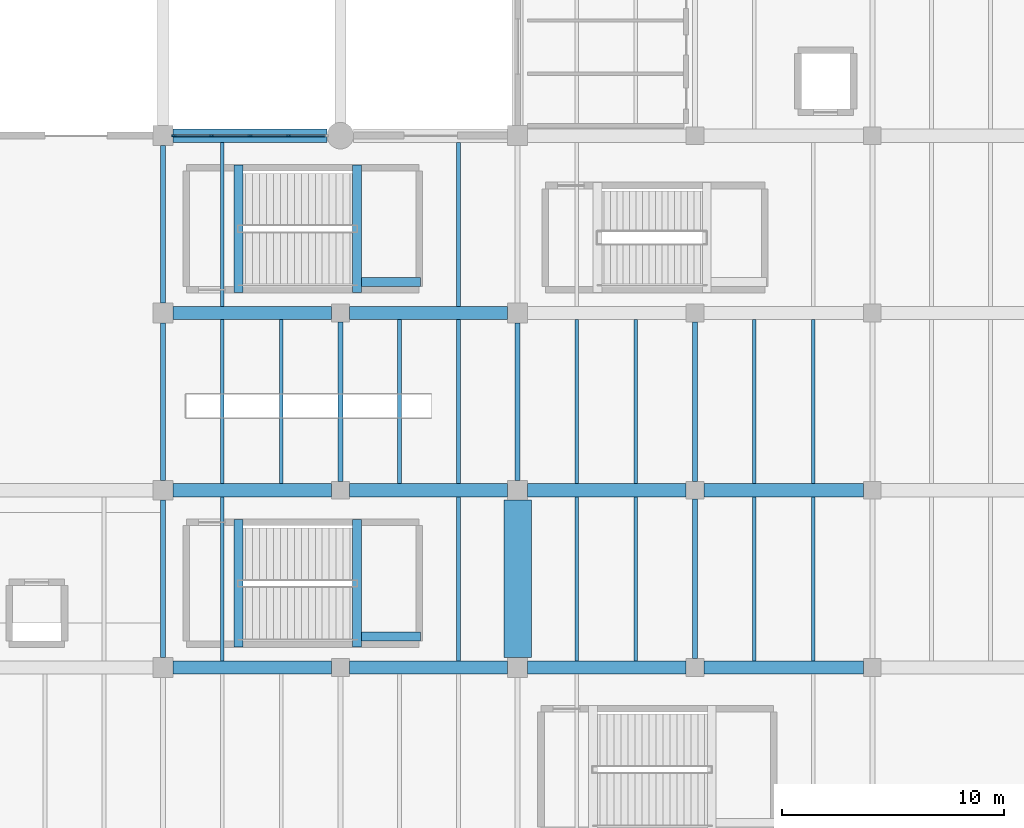
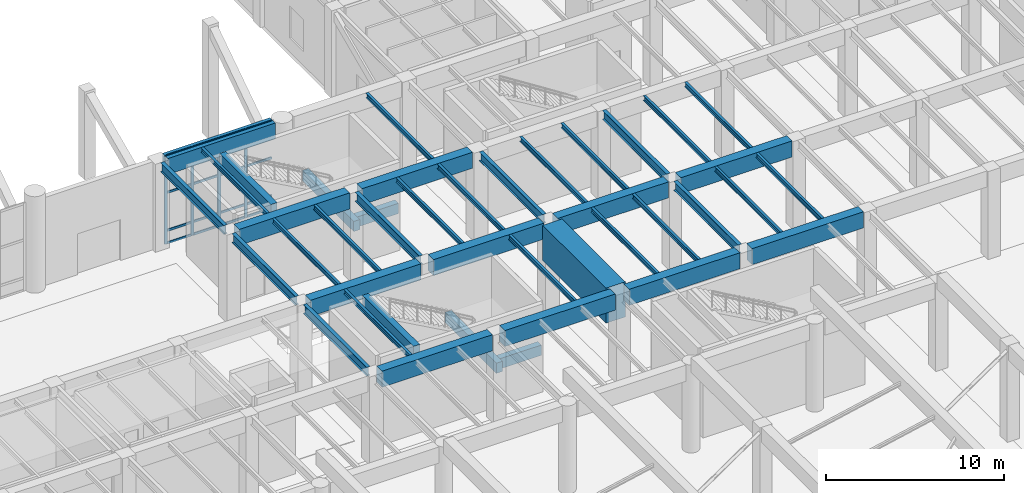
# One storey, part 18 of 51: 41 beams, 20 members, 1 element without a shape of its own.
"""IFC4 building model written with IfcOpenShell, lengths in metres."""

from ifc_helpers import new_model, si_unit, direction, frame, origin, origin_2d, place, context, subcontext, project, spatial, rectangle, i_section, extrude, material, layer, layer_set, material_profile, profile_set, type_object, element, aggregate, save


model = new_model("IFC4")

# Units and contexts
model_context = context("Model", 3, precision=1e-05, world=origin(), true_north=direction((0.0, 1.0)))
body_context = subcontext(model_context, "Body", "Model", "MODEL_VIEW")
ifc_project = project(units=[si_unit("LENGTHUNIT", "METRE"), si_unit("AREAUNIT", "SQUARE_METRE"), si_unit("VOLUMEUNIT", "CUBIC_METRE"), si_unit("PLANEANGLEUNIT", "RADIAN"), si_unit("MASSUNIT", "GRAM", prefix="KILO")], contexts=[model_context])

# Site, building, storey
site_placement = place(None, origin())
site = spatial("IfcSite", under=ifc_project, at=site_placement, CompositionType="ELEMENT")
building_placement = place(site_placement, origin())
building = spatial("IfcBuilding", under=site, at=building_placement, Name="Varnela Railside Interchange", CompositionType="ELEMENT")
storey_placement = place(building_placement, origin())
storey = spatial("IfcBuildingStorey", under=building, at=storey_placement, Name="L00", CompositionType="ELEMENT", Elevation=0.0)

# Beams
ifc_material_1 = material(Name="Steel AR 350 (350 MPa)", Category="steel")
ifc_material_profile_1 = material_profile(ifc_material_1, i_section(OverallWidth=0.1669921875, OverallDepth=0.31689453125, WebThickness=0.007568359375, FlangeThickness=0.01318359375, at=origin_2d()), Name="W310x52")
ifc_profile_set_1 = profile_set([ifc_material_profile_1], Name="Steel AR 350 (350 MPa)")
beam_type_1 = type_object("IfcBeamType", Name="Composite Long-Span Joist J-03", PredefinedType="JOIST", material=ifc_profile_set_1)
for number, where, z_axis, x_axis, name in (
    (1, (102.669921875, 38.300048828125, 5.861572265625), (0.0, 1.0, 0.0), (-1.0, 0.0, 0.0), "Composite Long-Span Joist J-03 (L00) (BM-1047)"),
    (2, (102.669921875, 46.300048828125, 5.861572265625), (0.0, 1.0, 0.0), (-1.0, 0.0, 0.0), "Composite Long-Span Joist J-03 (L00) (BM-1048)"),
    (3, (105.330078125, 46.300048828125, 5.861572265625), (0.0, 1.0, 0.0), (-1.0, 0.0, 0.0), "Composite Long-Span Joist J-03 (L00) (BM-1049)"),
    (4, (102.669921875, 54.300048828125, 5.861572265625), (0.0, 1.0, 0.0), (-1.0, 0.0, 0.0), "Composite Long-Span Joist J-03 (L00) (BM-1050)"),
    (5, (113.330078125, 38.300048828125, 5.861572265625), (0.0, 1.0, 0.0), (-1.0, 0.0, 0.0), "Composite Long-Span Joist J-03 (L00) (BM-1053)"),
    (6, (110.669921875, 46.300048828125, 5.861572265625), (0.0, 1.0, 0.0), (-1.0, 0.0, 0.0), "Composite Long-Span Joist J-03 (L00) (BM-1054)"),
    (7, (113.330078125, 46.300048828125, 5.861572265625), (0.0, 1.0, 0.0), (-1.0, 0.0, 0.0), "Composite Long-Span Joist J-03 (L00) (BM-1055)"),
    (8, (113.330078125, 54.300048828125, 5.861572265625), (0.0, 1.0, 0.0), (-1.0, 0.0, 0.0), "Composite Long-Span Joist J-03 (L00) (BM-1056)"),
    (9, (118.669921875, 38.300048828125, 5.861572265625), (0.0, 1.0, 0.0), (-1.0, 0.0, 0.0), "Composite Long-Span Joist J-03 (L00) (BM-1060)"),
    (10, (121.330078125, 38.300048828125, 5.861572265625), (0.0, 1.0, 0.0), (-1.0, 0.0, 0.0), "Composite Long-Span Joist J-03 (L00) (BM-1061)"),
    (11, (118.669921875, 46.300048828125, 5.861572265625), (0.0, 1.0, 0.0), (-1.0, 0.0, 0.0), "Composite Long-Span Joist J-03 (L00) (BM-1062)"),
    (12, (121.330078125, 46.300048828125, 5.861572265625), (0.0, 1.0, 0.0), (-1.0, 0.0, 0.0), "Composite Long-Span Joist J-03 (L00) (BM-1063)"),
    (13, (126.669921875, 38.300048828125, 5.861572265625), (0.0, 1.0, 0.0), (-1.0, 0.0, 0.0), "Composite Long-Span Joist J-03 (L00) (BM-1074)"),
    (14, (129.330078125, 38.300048828125, 5.861572265625), (0.0, 1.0, 0.0), (-1.0, 0.0, 0.0), "Composite Long-Span Joist J-03 (L00) (BM-1075)"),
    (15, (126.669921875, 46.300048828125, 5.861572265625), (0.0, 1.0, 0.0), (-1.0, 0.0, 0.0), "Composite Long-Span Joist J-03 (L00) (BM-1076)"),
    (16, (129.330078125, 46.300048828125, 5.861572265625), (0.0, 1.0, 0.0), (-1.0, 0.0, 0.0), "Composite Long-Span Joist J-03 (L00) (BM-1077)"),
):
    element("IfcBeam", number, at=place(storey_placement, frame(where, z_axis=z_axis, x_axis=x_axis)), inside=storey, type_object=beam_type_1, Name=name, PredefinedType="JOIST", context=body_context, shape_type="SweptSolid", body=[
        extrude(i_section(OverallWidth=0.1669921875, OverallDepth=0.31689453125, WebThickness=0.007568359375, FlangeThickness=0.01318359375, at=origin_2d()), origin(), (0.0, 0.0, 1.0), 7.39990234375),
    ])
ifc_material_2 = material(Name="Concrete C50", Category="concrete")
ifc_material_profile_2 = material_profile(ifc_material_2, rectangle(XDim=0.60009765625, YDim=1.10009765625, at=origin_2d()), Name="RC 600x1100")
ifc_profile_set_2 = profile_set([ifc_material_profile_2], Name="Concrete C50")
beam_type_2 = type_object("IfcBeamType", Name="Concourse RC Girder B-06", PredefinedType="BEAM", material=ifc_profile_set_2)
for number, where, z_axis, x_axis, name in (
    (17, (100.449951171875, 38.0, 5.469970703125), (1.0, 0.0, 0.0), (0.0, 1.0, 0.0), "Concourse RC Girder B-06 (L00) (BM-1201)"),
    (18, (108.39990234375, 38.0, 5.469970703125), (1.0, 0.0, 0.0), (0.0, 1.0, 0.0), "Concourse RC Girder B-06 (L00) (BM-1202)"),
    (19, (116.449951171875, 38.0, 5.469970703125), (1.0, 0.0, 0.0), (0.0, 1.0, 0.0), "Concourse RC Girder B-06 (L00) (BM-1203)"),
):
    element("IfcBeam", number, at=place(storey_placement, frame(where, z_axis=z_axis, x_axis=x_axis)), inside=storey, type_object=beam_type_2, Name=name, PredefinedType="BEAM", context=body_context, shape_type="SweptSolid", body=[
        extrude(rectangle(XDim=0.60009765625, YDim=1.10009765625, at=origin_2d()), origin(), (0.0, 0.0, 1.0), 7.150146484375),
    ])
beam_1_placement = place(storey_placement, frame((124.39990234375, 38.0, 5.469970703125), z_axis=(1.0, 0.0, 0.0), x_axis=(0.0, 1.0, 0.0)))
element("IfcBeam", 20, at=beam_1_placement, inside=storey, type_object=beam_type_2, Name="Concourse RC Girder B-06 (L00) (BM-1204)", PredefinedType="BEAM", context=body_context, shape_type="SweptSolid", body=[
    extrude(rectangle(XDim=0.60009765625, YDim=1.10009765625, at=origin_2d()), origin(), (0.0, 0.0, 1.0), 7.2001953125),
])
for number, where, z_axis, x_axis, name in (
    (21, (100.449951171875, 46.0, 5.469970703125), (1.0, 0.0, 0.0), (0.0, 1.0, 0.0), "Concourse RC Girder B-06 (L00) (BM-1221)"),
    (22, (108.39990234375, 46.0, 5.469970703125), (1.0, 0.0, 0.0), (0.0, 1.0, 0.0), "Concourse RC Girder B-06 (L00) (BM-1222)"),
    (23, (116.449951171875, 46.0, 5.469970703125), (1.0, 0.0, 0.0), (0.0, 1.0, 0.0), "Concourse RC Girder B-06 (L00) (BM-1223)"),
):
    element("IfcBeam", number, at=place(storey_placement, frame(where, z_axis=z_axis, x_axis=x_axis)), inside=storey, type_object=beam_type_2, Name=name, PredefinedType="BEAM", context=body_context, shape_type="SweptSolid", body=[
        extrude(rectangle(XDim=0.60009765625, YDim=1.10009765625, at=origin_2d()), origin(), (0.0, 0.0, 1.0), 7.150146484375),
    ])
beam_2_placement = place(storey_placement, frame((124.39990234375, 46.0, 5.469970703125), z_axis=(1.0, 0.0, 0.0), x_axis=(0.0, 1.0, 0.0)))
element("IfcBeam", 24, at=beam_2_placement, inside=storey, type_object=beam_type_2, Name="Concourse RC Girder B-06 (L00) (BM-1224)", PredefinedType="BEAM", context=body_context, shape_type="SweptSolid", body=[
    extrude(rectangle(XDim=0.60009765625, YDim=1.10009765625, at=origin_2d()), origin(), (0.0, 0.0, 1.0), 7.2001953125),
])
for number, where, z_axis, x_axis, name in (
    (25, (100.449951171875, 54.0, 5.469970703125), (1.0, 0.0, 0.0), (0.0, 1.0, 0.0), "Concourse RC Girder B-06 (L00) (BM-1241)"),
    (26, (108.39990234375, 54.0, 5.469970703125), (1.0, 0.0, 0.0), (0.0, 1.0, 0.0), "Concourse RC Girder B-06 (L00) (BM-1242)"),
):
    element("IfcBeam", number, at=place(storey_placement, frame(where, z_axis=z_axis, x_axis=x_axis)), inside=storey, type_object=beam_type_2, Name=name, PredefinedType="BEAM", context=body_context, shape_type="SweptSolid", body=[
        extrude(rectangle(XDim=0.60009765625, YDim=1.10009765625, at=origin_2d()), origin(), (0.0, 0.0, 1.0), 7.150146484375),
    ])
beam_3_placement = place(storey_placement, frame((100.449951171875, 62.0, 5.469970703125), z_axis=(1.0, 0.0, 0.0), x_axis=(0.0, 1.0, 0.0)))
element("IfcBeam", 27, at=beam_3_placement, inside=storey, type_object=beam_type_2, Name="Concourse RC Girder B-06 (L00) (BM-1254)", PredefinedType="BEAM", context=body_context, shape_type="SweptSolid", body=[
    extrude(rectangle(XDim=0.60009765625, YDim=1.10009765625, at=origin_2d()), origin(), (0.0, 0.0, 1.0), 6.949951171875),
])
ifc_material_3 = material(Name="Concrete C40", Category="concrete")
ifc_material_profile_3 = material_profile(ifc_material_3, rectangle(XDim=0.39990234375, YDim=0.699951171875, at=origin_2d()), Name="RC 400x700")
ifc_profile_set_3 = profile_set([ifc_material_profile_3], Name="Concrete C40")
beam_type_3 = type_object("IfcBeamType", Name="Concrete Tie Beam B-01", PredefinedType="BEAM", material=ifc_profile_set_3)
for number, where, z_axis, x_axis, name in (
    (28, (103.39990234375, 38.919921875, 5.669921875), (0.0, 1.0, 0.0), (-1.0, 0.0, 0.0), "Concrete Tie Beam B-01 (L00) (BM-1446)"),
    (29, (108.7548828125, 38.919921875, 2.639892578125), (0.0, 1.0, 0.0), (-1.0, 0.0, 0.0), "Concrete Tie Beam B-01 (L00) (BM-1433)"),
):
    element("IfcBeam", number, at=place(storey_placement, frame(where, z_axis=z_axis, x_axis=x_axis)), inside=storey, type_object=beam_type_3, Name=name, PredefinedType="BEAM", context=body_context, shape_type="SweptSolid", body=[
        extrude(rectangle(XDim=0.39990234375, YDim=0.699951171875, at=origin_2d()), origin(), (0.0, 0.0, 1.0), 5.760009765625),
    ])
beam_4_placement = place(storey_placement, frame((108.955078125, 39.39990234375, 2.639892578125), z_axis=(1.0, 0.0, 0.0), x_axis=(0.0, 1.0, 0.0)))
element("IfcBeam", 30, at=beam_4_placement, inside=storey, type_object=beam_type_3, Name="Concrete Tie Beam B-01 (L00) (BM-1420)", PredefinedType="BEAM", context=body_context, shape_type="SweptSolid", body=[
    extrude(rectangle(XDim=0.39990234375, YDim=0.699951171875, at=origin_2d()), origin(), (0.0, 0.0, 1.0), 2.6650390625),
])
for number, where, z_axis, x_axis, name in (
    (31, (103.39990234375, 54.919921875, 5.669921875), (0.0, 1.0, 0.0), (-1.0, 0.0, 0.0), "Concrete Tie Beam B-01 (L00) (BM-1448)"),
    (32, (108.7548828125, 54.919921875, 2.639892578125), (0.0, 1.0, 0.0), (-1.0, 0.0, 0.0), "Concrete Tie Beam B-01 (L00) (BM-1435)"),
):
    element("IfcBeam", number, at=place(storey_placement, frame(where, z_axis=z_axis, x_axis=x_axis)), inside=storey, type_object=beam_type_3, Name=name, PredefinedType="BEAM", context=body_context, shape_type="SweptSolid", body=[
        extrude(rectangle(XDim=0.39990234375, YDim=0.699951171875, at=origin_2d()), origin(), (0.0, 0.0, 1.0), 5.760009765625),
    ])
beam_5_placement = place(storey_placement, frame((108.955078125, 55.39990234375, 2.639892578125), z_axis=(1.0, 0.0, 0.0), x_axis=(0.0, 1.0, 0.0)))
element("IfcBeam", 33, at=beam_5_placement, inside=storey, type_object=beam_type_3, Name="Concrete Tie Beam B-01 (L00) (BM-1422)", PredefinedType="BEAM", context=body_context, shape_type="SweptSolid", body=[
    extrude(rectangle(XDim=0.39990234375, YDim=0.699951171875, at=origin_2d()), origin(), (0.0, 0.0, 1.0), 2.6650390625),
])
ifc_material_profile_4 = material_profile(ifc_material_1, i_section(OverallWidth=0.22900390625, OverallDepth=0.612060546875, WebThickness=0.011962890625, FlangeThickness=0.01953125, at=origin_2d()), Name="W610x125")
ifc_profile_set_4 = profile_set([ifc_material_profile_4], Name="Steel AR 350 (350 MPa)")
beam_type_4 = type_object("IfcBeamType", Name="Podium Composite Girder B-15", PredefinedType="BEAM", material=ifc_profile_set_4)
for number, where, z_axis, x_axis, name in (
    (34, (100.0, 38.449951171875, 5.714111328125), (0.0, 1.0, 0.0), (-1.0, 0.0, 0.0), "Podium Composite Girder B-15 (L00) (BM-1307)"),
    (35, (100.0, 46.449951171875, 5.714111328125), (0.0, 1.0, 0.0), (-1.0, 0.0, 0.0), "Podium Composite Girder B-15 (L00) (BM-1308)"),
    (36, (100.0, 54.449951171875, 5.714111328125), (0.0, 1.0, 0.0), (-1.0, 0.0, 0.0), "Podium Composite Girder B-15 (L00) (BM-1309)"),
):
    element("IfcBeam", number, at=place(storey_placement, frame(where, z_axis=z_axis, x_axis=x_axis)), inside=storey, type_object=beam_type_4, Name=name, PredefinedType="BEAM", context=body_context, shape_type="SweptSolid", body=[
        extrude(i_section(OverallWidth=0.22900390625, OverallDepth=0.612060546875, WebThickness=0.011962890625, FlangeThickness=0.01953125, at=origin_2d()), origin(), (0.0, 0.0, 1.0), 7.10009765625),
    ])
beam_6_placement = place(storey_placement, frame((108.0, 46.39990234375, 5.714111328125), z_axis=(0.0, 1.0, 0.0), x_axis=(-1.0, 0.0, 0.0)))
element("IfcBeam", 37, at=beam_6_placement, inside=storey, type_object=beam_type_4, Name="Podium Composite Girder B-15 (L00) (BM-1311)", PredefinedType="BEAM", context=body_context, shape_type="SweptSolid", body=[
    extrude(i_section(OverallWidth=0.22900390625, OverallDepth=0.612060546875, WebThickness=0.011962890625, FlangeThickness=0.01953125, at=origin_2d()), origin(), (0.0, 0.0, 1.0), 7.2001953125),
])
beam_7_placement = place(storey_placement, frame((116.0, 46.449951171875, 5.714111328125), z_axis=(0.0, 1.0, 0.0), x_axis=(-1.0, 0.0, 0.0)))
element("IfcBeam", 38, at=beam_7_placement, inside=storey, type_object=beam_type_4, Name="Podium Composite Girder B-15 (L00) (BM-1313)", PredefinedType="BEAM", context=body_context, shape_type="SweptSolid", body=[
    extrude(i_section(OverallWidth=0.22900390625, OverallDepth=0.612060546875, WebThickness=0.011962890625, FlangeThickness=0.01953125, at=origin_2d()), origin(), (0.0, 0.0, 1.0), 7.10009765625),
])
for number, where, z_axis, x_axis, name in (
    (39, (124.0, 38.39990234375, 5.714111328125), (0.0, 1.0, 0.0), (-1.0, 0.0, 0.0), "Podium Composite Girder B-15 (L00) (BM-1319)"),
    (40, (124.0, 46.39990234375, 5.714111328125), (0.0, 1.0, 0.0), (-1.0, 0.0, 0.0), "Podium Composite Girder B-15 (L00) (BM-1320)"),
):
    element("IfcBeam", number, at=place(storey_placement, frame(where, z_axis=z_axis, x_axis=x_axis)), inside=storey, type_object=beam_type_4, Name=name, PredefinedType="BEAM", context=body_context, shape_type="SweptSolid", body=[
        extrude(i_section(OverallWidth=0.22900390625, OverallDepth=0.612060546875, WebThickness=0.011962890625, FlangeThickness=0.01953125, at=origin_2d()), origin(), (0.0, 0.0, 1.0), 7.2001953125),
    ])

# Curtain wall, members
ifc_material_4 = material(Name="Aluminium 6063-T6", Category="aluminium")
ifc_layer = layer(ifc_material_4, 0.035888671875)
ifc_layer_set = layer_set([ifc_layer], Name="Aluminium 6063-T6")
curtain_wall_type = type_object("IfcCurtainWallType", Name="Arrival Forecourt Portal Curtain Wall CW-04", PredefinedType="USERDEFINED", material=ifc_layer_set)
curtain_wall_placement = place(storey_placement, origin())
curtain_wall = element("IfcCurtainWall", 41, at=curtain_wall_placement, inside=storey, type_object=curtain_wall_type, Name="Curtain Wall CW-04 (L00) (CW-009)", ObjectType="CURTAIN WALL", PredefinedType="USERDEFINED")
ifc_material_profile_5 = material_profile(ifc_material_4, rectangle(XDim=0.074951171875, YDim=0.199951171875, at=origin_2d()), Name="ALU 75x200")
ifc_profile_set_5 = profile_set([ifc_material_profile_5], Name="Aluminium 6063-T6")
member_type_1 = type_object("IfcMemberType", Name="Portal Heavy Mullion ML-04", PredefinedType="MULLION", material=ifc_profile_set_5)
member_1_placement = place(storey_placement, frame((100.487548828125, 62.0, 0.0), z_axis=(0.0, 0.0, 1.0), x_axis=(0.0, 1.0, 0.0)))
member_1 = element("IfcMember", 42, at=member_1_placement, type_object=member_type_1, Name="CW-04 mullion 1", PredefinedType="MULLION", context=body_context, shape_type="SweptSolid", body=[
    extrude(rectangle(XDim=0.074951171875, YDim=0.199951171875, at=origin_2d()), origin(), (0.0, 0.0, 1.0), 6.02001953125),
])
member_2_placement = place(storey_placement, frame((102.1875, 62.0, 0.0), z_axis=(0.0, 0.0, 1.0), x_axis=(0.0, 1.0, 0.0)))
member_2 = element("IfcMember", 43, at=member_2_placement, type_object=member_type_1, Name="CW-04 mullion 2", PredefinedType="MULLION", context=body_context, shape_type="SweptSolid", body=[
    extrude(rectangle(XDim=0.074951171875, YDim=0.199951171875, at=origin_2d()), origin(), (0.0, 0.0, 1.0), 6.02001953125),
])
member_3_placement = place(storey_placement, frame((103.925048828125, 62.0, 0.0), z_axis=(0.0, 0.0, 1.0), x_axis=(0.0, 1.0, 0.0)))
member_3 = element("IfcMember", 44, at=member_3_placement, type_object=member_type_1, Name="CW-04 mullion 3", PredefinedType="MULLION", context=body_context, shape_type="SweptSolid", body=[
    extrude(rectangle(XDim=0.074951171875, YDim=0.199951171875, at=origin_2d()), origin(), (0.0, 0.0, 1.0), 6.02001953125),
])
member_4_placement = place(storey_placement, frame((105.66259765625, 62.0, 0.0), z_axis=(0.0, 0.0, 1.0), x_axis=(0.0, 1.0, 0.0)))
member_4 = element("IfcMember", 45, at=member_4_placement, type_object=member_type_1, Name="CW-04 mullion 4", PredefinedType="MULLION", context=body_context, shape_type="SweptSolid", body=[
    extrude(rectangle(XDim=0.074951171875, YDim=0.199951171875, at=origin_2d()), origin(), (0.0, 0.0, 1.0), 6.02001953125),
])
ifc_material_profile_6 = material_profile(ifc_material_4, rectangle(XDim=0.074951171875, YDim=0.14990234375, at=origin_2d()), Name="ALU 75x150")
ifc_profile_set_6 = profile_set([ifc_material_profile_6], Name="Aluminium 6063-T6")
member_type_2 = type_object("IfcMemberType", Name="Portal Heavy Transom TR-04", PredefinedType="USERDEFINED", material=ifc_profile_set_6)
member_5_placement = place(storey_placement, frame((100.52490234375, 62.0, 0.03759765625), z_axis=(1.0, 0.0, 0.0), x_axis=(0.0, 1.0, 0.0)))
member_5 = element("IfcMember", 46, at=member_5_placement, type_object=member_type_2, Name="CW-04 transom 1.1", ObjectType="TRANSOM", PredefinedType="USERDEFINED", context=body_context, shape_type="SweptSolid", body=[
    extrude(rectangle(XDim=0.074951171875, YDim=0.14990234375, at=origin_2d()), origin(), (0.0, 0.0, 1.0), 1.625),
])
member_6_placement = place(storey_placement, frame((100.52490234375, 62.0, 0.89990234375), z_axis=(1.0, 0.0, 0.0), x_axis=(0.0, 1.0, 0.0)))
member_6 = element("IfcMember", 47, at=member_6_placement, type_object=member_type_2, Name="CW-04 transom 1.2", ObjectType="TRANSOM", PredefinedType="USERDEFINED", context=body_context, shape_type="SweptSolid", body=[
    extrude(rectangle(XDim=0.074951171875, YDim=0.14990234375, at=origin_2d()), origin(), (0.0, 0.0, 1.0), 1.625),
])
member_7_placement = place(storey_placement, frame((100.52490234375, 62.0, 3.49169921875), z_axis=(1.0, 0.0, 0.0), x_axis=(0.0, 1.0, 0.0)))
member_7 = element("IfcMember", 48, at=member_7_placement, type_object=member_type_2, Name="CW-04 transom 1.3", ObjectType="TRANSOM", PredefinedType="USERDEFINED", context=body_context, shape_type="SweptSolid", body=[
    extrude(rectangle(XDim=0.074951171875, YDim=0.14990234375, at=origin_2d()), origin(), (0.0, 0.0, 1.0), 1.625),
])
member_8_placement = place(storey_placement, frame((100.52490234375, 62.0, 5.982421875), z_axis=(1.0, 0.0, 0.0), x_axis=(0.0, 1.0, 0.0)))
member_8 = element("IfcMember", 49, at=member_8_placement, type_object=member_type_2, Name="CW-04 transom 1.4", ObjectType="TRANSOM", PredefinedType="USERDEFINED", context=body_context, shape_type="SweptSolid", body=[
    extrude(rectangle(XDim=0.074951171875, YDim=0.14990234375, at=origin_2d()), origin(), (0.0, 0.0, 1.0), 1.625),
])
member_9_placement = place(storey_placement, frame((102.22509765625, 62.0, 0.03759765625), z_axis=(1.0, 0.0, 0.0), x_axis=(0.0, 1.0, 0.0)))
member_9 = element("IfcMember", 50, at=member_9_placement, type_object=member_type_2, Name="CW-04 transom 2.1", ObjectType="TRANSOM", PredefinedType="USERDEFINED", context=body_context, shape_type="SweptSolid", body=[
    extrude(rectangle(XDim=0.074951171875, YDim=0.14990234375, at=origin_2d()), origin(), (0.0, 0.0, 1.0), 1.662353515625),
])
member_10_placement = place(storey_placement, frame((102.22509765625, 62.0, 0.89990234375), z_axis=(1.0, 0.0, 0.0), x_axis=(0.0, 1.0, 0.0)))
member_10 = element("IfcMember", 51, at=member_10_placement, type_object=member_type_2, Name="CW-04 transom 2.2", ObjectType="TRANSOM", PredefinedType="USERDEFINED", context=body_context, shape_type="SweptSolid", body=[
    extrude(rectangle(XDim=0.074951171875, YDim=0.14990234375, at=origin_2d()), origin(), (0.0, 0.0, 1.0), 1.662353515625),
])
member_11_placement = place(storey_placement, frame((102.22509765625, 62.0, 3.49169921875), z_axis=(1.0, 0.0, 0.0), x_axis=(0.0, 1.0, 0.0)))
member_11 = element("IfcMember", 52, at=member_11_placement, type_object=member_type_2, Name="CW-04 transom 2.3", ObjectType="TRANSOM", PredefinedType="USERDEFINED", context=body_context, shape_type="SweptSolid", body=[
    extrude(rectangle(XDim=0.074951171875, YDim=0.14990234375, at=origin_2d()), origin(), (0.0, 0.0, 1.0), 1.662353515625),
])
member_12_placement = place(storey_placement, frame((102.22509765625, 62.0, 5.982421875), z_axis=(1.0, 0.0, 0.0), x_axis=(0.0, 1.0, 0.0)))
member_12 = element("IfcMember", 53, at=member_12_placement, type_object=member_type_2, Name="CW-04 transom 2.4", ObjectType="TRANSOM", PredefinedType="USERDEFINED", context=body_context, shape_type="SweptSolid", body=[
    extrude(rectangle(XDim=0.074951171875, YDim=0.14990234375, at=origin_2d()), origin(), (0.0, 0.0, 1.0), 1.662353515625),
])
member_13_placement = place(storey_placement, frame((103.96240234375, 62.0, 0.03759765625), z_axis=(1.0, 0.0, 0.0), x_axis=(0.0, 1.0, 0.0)))
member_13 = element("IfcMember", 54, at=member_13_placement, type_object=member_type_2, Name="CW-04 transom 3.1", ObjectType="TRANSOM", PredefinedType="USERDEFINED", context=body_context, shape_type="SweptSolid", body=[
    extrude(rectangle(XDim=0.074951171875, YDim=0.14990234375, at=origin_2d()), origin(), (0.0, 0.0, 1.0), 1.66259765625),
])
member_14_placement = place(storey_placement, frame((103.96240234375, 62.0, 0.89990234375), z_axis=(1.0, 0.0, 0.0), x_axis=(0.0, 1.0, 0.0)))
member_14 = element("IfcMember", 55, at=member_14_placement, type_object=member_type_2, Name="CW-04 transom 3.2", ObjectType="TRANSOM", PredefinedType="USERDEFINED", context=body_context, shape_type="SweptSolid", body=[
    extrude(rectangle(XDim=0.074951171875, YDim=0.14990234375, at=origin_2d()), origin(), (0.0, 0.0, 1.0), 1.66259765625),
])
member_15_placement = place(storey_placement, frame((103.96240234375, 62.0, 3.49169921875), z_axis=(1.0, 0.0, 0.0), x_axis=(0.0, 1.0, 0.0)))
member_15 = element("IfcMember", 56, at=member_15_placement, type_object=member_type_2, Name="CW-04 transom 3.3", ObjectType="TRANSOM", PredefinedType="USERDEFINED", context=body_context, shape_type="SweptSolid", body=[
    extrude(rectangle(XDim=0.074951171875, YDim=0.14990234375, at=origin_2d()), origin(), (0.0, 0.0, 1.0), 1.66259765625),
])
member_16_placement = place(storey_placement, frame((103.96240234375, 62.0, 5.982421875), z_axis=(1.0, 0.0, 0.0), x_axis=(0.0, 1.0, 0.0)))
member_16 = element("IfcMember", 57, at=member_16_placement, type_object=member_type_2, Name="CW-04 transom 3.4", ObjectType="TRANSOM", PredefinedType="USERDEFINED", context=body_context, shape_type="SweptSolid", body=[
    extrude(rectangle(XDim=0.074951171875, YDim=0.14990234375, at=origin_2d()), origin(), (0.0, 0.0, 1.0), 1.66259765625),
])
member_17_placement = place(storey_placement, frame((105.699951171875, 62.0, 0.03759765625), z_axis=(1.0, 0.0, 0.0), x_axis=(0.0, 1.0, 0.0)))
member_17 = element("IfcMember", 58, at=member_17_placement, type_object=member_type_2, Name="CW-04 transom 4.1", ObjectType="TRANSOM", PredefinedType="USERDEFINED", context=body_context, shape_type="SweptSolid", body=[
    extrude(rectangle(XDim=0.074951171875, YDim=0.14990234375, at=origin_2d()), origin(), (0.0, 0.0, 1.0), 1.625),
])
member_18_placement = place(storey_placement, frame((105.699951171875, 62.0, 0.89990234375), z_axis=(1.0, 0.0, 0.0), x_axis=(0.0, 1.0, 0.0)))
member_18 = element("IfcMember", 59, at=member_18_placement, type_object=member_type_2, Name="CW-04 transom 4.2", ObjectType="TRANSOM", PredefinedType="USERDEFINED", context=body_context, shape_type="SweptSolid", body=[
    extrude(rectangle(XDim=0.074951171875, YDim=0.14990234375, at=origin_2d()), origin(), (0.0, 0.0, 1.0), 1.625),
])
member_19_placement = place(storey_placement, frame((105.699951171875, 62.0, 3.49169921875), z_axis=(1.0, 0.0, 0.0), x_axis=(0.0, 1.0, 0.0)))
member_19 = element("IfcMember", 60, at=member_19_placement, type_object=member_type_2, Name="CW-04 transom 4.3", ObjectType="TRANSOM", PredefinedType="USERDEFINED", context=body_context, shape_type="SweptSolid", body=[
    extrude(rectangle(XDim=0.074951171875, YDim=0.14990234375, at=origin_2d()), origin(), (0.0, 0.0, 1.0), 1.625),
])
member_20_placement = place(storey_placement, frame((105.699951171875, 62.0, 5.982421875), z_axis=(1.0, 0.0, 0.0), x_axis=(0.0, 1.0, 0.0)))
member_20 = element("IfcMember", 61, at=member_20_placement, type_object=member_type_2, Name="CW-04 transom 4.4", ObjectType="TRANSOM", PredefinedType="USERDEFINED", context=body_context, shape_type="SweptSolid", body=[
    extrude(rectangle(XDim=0.074951171875, YDim=0.14990234375, at=origin_2d()), origin(), (0.0, 0.0, 1.0), 1.625),
])
aggregate(curtain_wall, [member_1, member_2, member_3, member_4, member_5, member_6, member_7, member_8, member_9, member_10, member_11, member_12, member_13, member_14, member_15, member_16, member_17, member_18, member_19, member_20])

# Beam
ifc_material_profile_7 = material_profile(ifc_material_2, rectangle(XDim=1.25, YDim=2.39990234375, at=origin_2d()), Name="RC 1250x2400")
ifc_profile_set_7 = profile_set([ifc_material_profile_7], Name="Concrete C50")
beam_type_5 = type_object("IfcBeamType", Name="Transfer Girder TG-02", PredefinedType="BEAM", material=ifc_profile_set_7)
beam_8_placement = place(storey_placement, frame((116.0, 38.449951171875, 4.820068359375), z_axis=(0.0, 1.0, 0.0), x_axis=(-1.0, 0.0, 0.0)))
element("IfcBeam", 62, at=beam_8_placement, inside=storey, type_object=beam_type_5, Name="Transfer Girder TG-02 (L00) (BM-1417)", PredefinedType="BEAM", context=body_context, shape_type="SweptSolid", body=[
    extrude(rectangle(XDim=1.25, YDim=2.39990234375, at=origin_2d()), origin(), (0.0, 0.0, 1.0), 7.10009765625),
])

save(model, "model.ifc")
